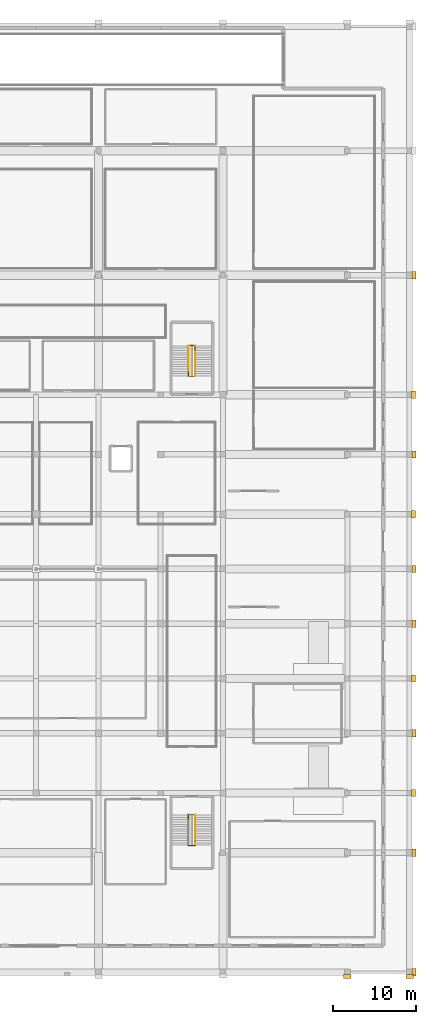
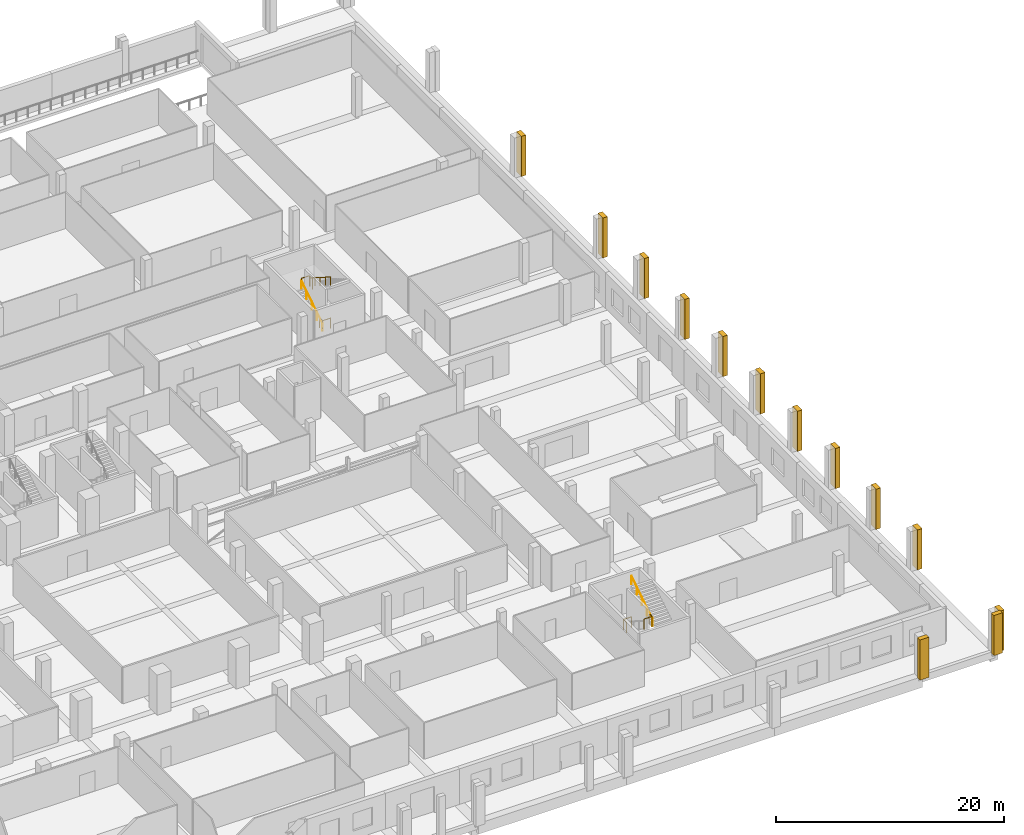
# One storey, part 32 of 33: 13 coverings, 7 railings.
"""IFC4 building model written with IfcOpenShell, lengths in metres."""

from ifc_helpers import new_model, si_unit, direction, frame, origin, origin_2d, place, context, subcontext, project, spatial, rectangle, circle, extrude, material, layer, layer_set, type_object, element, save


model = new_model("IFC4")

# Units and contexts
model_context = context("Model", 3, precision=1e-05, world=origin(), true_north=direction((0.0, 1.0)))
body_context = subcontext(model_context, "Body", "Model", "MODEL_VIEW")
ifc_project = project(units=[si_unit("LENGTHUNIT", "METRE"), si_unit("AREAUNIT", "SQUARE_METRE"), si_unit("VOLUMEUNIT", "CUBIC_METRE"), si_unit("PLANEANGLEUNIT", "RADIAN"), si_unit("MASSUNIT", "GRAM", prefix="KILO")], contexts=[model_context])

# Site, building, storey
site_placement = place(None, origin())
site = spatial("IfcSite", under=ifc_project, at=site_placement, CompositionType="ELEMENT")
building_placement = place(site_placement, origin())
building = spatial("IfcBuilding", under=site, at=building_placement, Name="Akrevak Sports Hall", CompositionType="ELEMENT")
storey_placement = place(building_placement, origin())
storey = spatial("IfcBuildingStorey", under=building, at=storey_placement, Name="L00", CompositionType="ELEMENT", Elevation=0.0)

# Coverings
ifc_material_1 = material(Name="Limestone Ashlar", Category="stone")
ifc_layer_1 = layer(ifc_material_1, 0.47998046875, Name="Limestone Ashlar")
ifc_layer_set_1 = layer_set([ifc_layer_1], Name="Limestone Ashlar")
covering_type = type_object("IfcCoveringType", Name="ARC-COV-PIL-LIM", PredefinedType="CLADDING", material=ifc_layer_set_1)
for number, where, z_axis, x_axis, name in (
    (1, (160.5, -0.52490234375, 0.0), (0.0, 0.0, 1.0), (1.0, 0.0, 0.0), "Giant-Order Limestone Pilaster L00-01-12"),
    (2, (168.0, -0.52490234375, 0.0), (0.0, 0.0, 1.0), (1.0, 0.0, 0.0), "Giant-Order Limestone Pilaster L00-01-13"),
    (3, (168.52490234375, 0.0, 0.0), (0.0, 0.0, 1.0), (0.0, 1.0, 0.0), "Giant-Order Limestone Pilaster L00-02-13"),
    (4, (168.52490234375, 14.39990234375, 0.0), (0.0, 0.0, 1.0), (0.0, 1.0, 0.0), "Giant-Order Limestone Pilaster L00-02-14"),
    (5, (168.47509765625, 21.60009765625, 0.0), (0.0, 0.0, 1.0), (0.0, 1.0, 0.0), "Giant-Order Limestone Pilaster L00-02-15"),
    (6, (168.52490234375, 28.800048828125, 0.0), (0.0, 0.0, 1.0), (0.0, 1.0, 0.0), "Giant-Order Limestone Pilaster L00-02-16"),
    (7, (168.47509765625, 35.39990234375, 0.0), (0.0, 0.0, 1.0), (0.0, 1.0, 0.0), "Giant-Order Limestone Pilaster L00-02-17"),
    (8, (168.52490234375, 42.0, 0.0), (0.0, 0.0, 1.0), (0.0, 1.0, 0.0), "Giant-Order Limestone Pilaster L00-02-18"),
    (9, (168.52490234375, 48.60009765625, 0.0), (0.0, 0.0, 1.0), (0.0, 1.0, 0.0), "Giant-Order Limestone Pilaster L00-02-19"),
    (10, (168.47509765625, 55.199951171875, 0.0), (0.0, 0.0, 1.0), (0.0, 1.0, 0.0), "Giant-Order Limestone Pilaster L00-02-20"),
    (11, (168.52490234375, 62.39990234375, 0.0), (0.0, 0.0, 1.0), (0.0, 1.0, 0.0), "Giant-Order Limestone Pilaster L00-02-21"),
    (12, (168.47509765625, 69.60009765625, 0.0), (0.0, 0.0, 1.0), (0.0, 1.0, 0.0), "Giant-Order Limestone Pilaster L00-02-22"),
    (13, (168.52490234375, 84.0, 0.0), (0.0, 0.0, 1.0), (0.0, 1.0, 0.0), "Giant-Order Limestone Pilaster L00-02-23"),
):
    element("IfcCovering", number, at=place(storey_placement, frame(where, z_axis=z_axis, x_axis=x_axis)), inside=storey, type_object=covering_type, Name=name, PredefinedType="CLADDING", context=body_context, shape_type="SweptSolid", body=[
        extrude(rectangle(XDim=0.8798828125, YDim=0.4599609375, at=origin_2d()), origin(), (0.0, 0.0, 1.0), 4.300048828125),
    ])

# Railings
ifc_material_2 = material(Name="Painted Architectural Balustrade Steel", Category="steel")
ifc_layer_2 = layer(ifc_material_2, 0.06005859375, Name="Painted Architectural Balustrade Steel")
ifc_layer_set_2 = layer_set([ifc_layer_2], Name="Painted Architectural Balustrade Steel")
railing_type_1 = type_object("IfcRailingType", Name="ARC-RL-GRD-1120", PredefinedType="GUARDRAIL", material=ifc_layer_set_2)
railing_1_placement = place(storey_placement, frame((141.360107421875, 18.429931640625, 0.0)))
element("IfcRailing", 14, at=railing_1_placement, inside=storey, type_object=railing_type_1, Name="Stair Floor Landing Well Guard ST7 (L00)", PredefinedType="GUARDRAIL", context=body_context, shape_type="SweptSolid", body=[
    extrude(circle(Radius=0.02392578125, at=origin_2d()), frame((0.0, 0.0, 1.09619140625), z_axis=(0.0, 1.0, 0.0), x_axis=(-1.0, 0.0, 0.0)), (0.0, 0.0, 1.0), 0.550048828125),
    extrude(circle(Radius=0.02392578125, at=origin_2d()), frame((0.0, 0.550048828125, 1.09619140625), z_axis=(1.0, 0.0, 0.0), x_axis=(0.0, 1.0, 0.0)), (0.0, 0.0, 1.0), 0.809814453125),
    extrude(circle(Radius=0.02099609375, at=origin_2d()), origin(), (0.0, 0.0, 1.0), 1.072021484375),
    extrude(circle(Radius=0.02099609375, at=origin_2d()), frame((0.0, 0.550048828125, 0.0)), (0.0, 0.0, 1.0), 1.072021484375),
    extrude(circle(Radius=0.02099609375, at=origin_2d()), frame((0.809814453125, 0.550048828125, 0.0)), (0.0, 0.0, 1.0), 1.072021484375),
])
railing_2_placement = place(storey_placement, frame((141.330078125, 15.280029296875, 2.300048828125)))
element("IfcRailing", 15, at=railing_2_placement, inside=storey, type_object=railing_type_1, Name="Stair Landing Well Guard ST7-L00-1", PredefinedType="GUARDRAIL", context=body_context, shape_type="SweptSolid", body=[
    extrude(circle(Radius=0.02392578125, at=origin_2d()), frame((0.0, 0.0, 1.09619140625), z_axis=(1.0, 0.0, 0.0), x_axis=(0.0, 1.0, 0.0)), (0.0, 0.0, 1.0), 0.809814453125),
    extrude(circle(Radius=0.02392578125, at=origin_2d()), frame((0.809814453125, 0.0, 1.09619140625), z_axis=(0.0, 1.0, 0.0), x_axis=(-1.0, 0.0, 0.0)), (0.0, 0.0, 1.0), 0.52001953125),
    extrude(circle(Radius=0.02099609375, at=origin_2d()), origin(), (0.0, 0.0, 1.0), 1.072021484375),
    extrude(circle(Radius=0.02099609375, at=origin_2d()), frame((0.809814453125, 0.0, 0.0)), (0.0, 0.0, 1.0), 1.072021484375),
    extrude(circle(Radius=0.02099609375, at=origin_2d()), frame((0.809814453125, 0.52001953125, 0.0)), (0.0, 0.0, 1.0), 1.072021484375),
])
railing_3_placement = place(storey_placement, frame((141.360107421875, 72.3701171875, 0.0)))
element("IfcRailing", 16, at=railing_3_placement, inside=storey, type_object=railing_type_1, Name="Stair Floor Landing Well Guard ST8 (L00)", PredefinedType="GUARDRAIL", context=body_context, shape_type="SweptSolid", body=[
    extrude(circle(Radius=0.02392578125, at=origin_2d()), frame((0.0, 0.0, 1.09619140625), z_axis=(0.0, -1.0, 0.0), x_axis=(1.0, 0.0, 0.0)), (0.0, 0.0, 1.0), 0.550048828125),
    extrude(circle(Radius=0.02392578125, at=origin_2d()), frame((0.0, -0.550048828125, 1.09619140625), z_axis=(1.0, 0.0, 0.0), x_axis=(0.0, 1.0, 0.0)), (0.0, 0.0, 1.0), 0.809814453125),
    extrude(circle(Radius=0.02099609375, at=origin_2d()), origin(), (0.0, 0.0, 1.0), 1.072021484375),
    extrude(circle(Radius=0.02099609375, at=origin_2d()), frame((0.0, -0.550048828125, 0.0)), (0.0, 0.0, 1.0), 1.072021484375),
    extrude(circle(Radius=0.02099609375, at=origin_2d()), frame((0.809814453125, -0.550048828125, 0.0)), (0.0, 0.0, 1.0), 1.072021484375),
])
railing_4_placement = place(storey_placement, frame((141.330078125, 75.52001953125, 2.300048828125)))
element("IfcRailing", 17, at=railing_4_placement, inside=storey, type_object=railing_type_1, Name="Stair Landing Well Guard ST8-L00-1", PredefinedType="GUARDRAIL", context=body_context, shape_type="SweptSolid", body=[
    extrude(circle(Radius=0.02392578125, at=origin_2d()), frame((0.0, 0.0, 1.09619140625), z_axis=(1.0, 0.0, 0.0), x_axis=(0.0, 1.0, 0.0)), (0.0, 0.0, 1.0), 0.809814453125),
    extrude(circle(Radius=0.02392578125, at=origin_2d()), frame((0.809814453125, 0.0, 1.09619140625), z_axis=(0.0, -1.0, 0.0), x_axis=(1.0, 0.0, 0.0)), (0.0, 0.0, 1.0), 0.52001953125),
    extrude(circle(Radius=0.02099609375, at=origin_2d()), origin(), (0.0, 0.0, 1.0), 1.072021484375),
    extrude(circle(Radius=0.02099609375, at=origin_2d()), frame((0.809814453125, 0.0, 0.0)), (0.0, 0.0, 1.0), 1.072021484375),
    extrude(circle(Radius=0.02099609375, at=origin_2d()), frame((0.809814453125, -0.52001953125, 0.0)), (0.0, 0.0, 1.0), 1.072021484375),
])
ifc_material_3 = material(Name="Brushed Stainless Steel 304", Category="steel")
ifc_layer_3 = layer(ifc_material_3, 0.050048828125, Name="Brushed Stainless Steel 304")
ifc_layer_set_3 = layer_set([ifc_layer_3], Name="Brushed Stainless Steel 304")
railing_type_2 = type_object("IfcRailingType", Name="ARC-RL-HND-900", PredefinedType="HANDRAIL", material=ifc_layer_set_3)
for number, where, name in (
    (18, (142.169921875, 15.31005859375, 2.300048828125), "Stair Handrail ST7-L00-F2"),
    (19, (141.330078125, 71.85009765625, 0.0), "Stair Handrail ST8-L00-F1"),
):
    element("IfcRailing", number, at=place(storey_placement, frame(where)), inside=storey, type_object=railing_type_2, Name=name, PredefinedType="HANDRAIL", context=body_context, shape_type="SweptSolid", body=[
        extrude(circle(Radius=0.02392578125, at=origin_2d()), frame((0.0, 0.0, 0.8759765625), z_axis=(0.0, 0.845366270244, 0.534187110602), x_axis=(-1.0, 0.0, 0.0)), (0.0, 0.0, 1.0), 4.3056640625),
        extrude(circle(Radius=0.02099609375, at=origin_2d()), origin(), (0.0, 0.0, 1.0), 0.851806640625),
        extrude(circle(Radius=0.02099609375, at=origin_2d()), frame((0.0, 0.909912109375, 0.574951171875)), (0.0, 0.0, 1.0), 0.851806640625),
        extrude(circle(Radius=0.02099609375, at=origin_2d()), frame((0.0, 1.81982421875, 1.14990234375)), (0.0, 0.0, 1.0), 0.851806640625),
        extrude(circle(Radius=0.02099609375, at=origin_2d()), frame((0.0, 2.72998046875, 1.72509765625)), (0.0, 0.0, 1.0), 0.851806640625),
        extrude(circle(Radius=0.02099609375, at=origin_2d()), frame((0.0, 3.639892578125, 2.300048828125)), (0.0, 0.0, 1.0), 0.851806640625),
    ])
railing_5_placement = place(storey_placement, frame((142.169921875, 75.489990234375, 2.300048828125)))
element("IfcRailing", 20, at=railing_5_placement, inside=storey, type_object=railing_type_2, Name="Stair Handrail ST8-L00-F2", PredefinedType="HANDRAIL", context=body_context, shape_type="SweptSolid", body=[
    extrude(circle(Radius=0.02392578125, at=origin_2d()), frame((0.0, 0.0, 0.8759765625), z_axis=(0.0, -0.845366270244, 0.534187110602), x_axis=(1.0, 0.0, 0.0)), (0.0, 0.0, 1.0), 4.3056640625),
    extrude(circle(Radius=0.02099609375, at=origin_2d()), origin(), (0.0, 0.0, 1.0), 0.851806640625),
    extrude(circle(Radius=0.02099609375, at=origin_2d()), frame((0.0, -0.909912109375, 0.574951171875)), (0.0, 0.0, 1.0), 0.851806640625),
    extrude(circle(Radius=0.02099609375, at=origin_2d()), frame((0.0, -1.81982421875, 1.14990234375)), (0.0, 0.0, 1.0), 0.851806640625),
    extrude(circle(Radius=0.02099609375, at=origin_2d()), frame((0.0, -2.72998046875, 1.72509765625)), (0.0, 0.0, 1.0), 0.851806640625),
    extrude(circle(Radius=0.02099609375, at=origin_2d()), frame((0.0, -3.639892578125, 2.300048828125)), (0.0, 0.0, 1.0), 0.851806640625),
])

save(model, "model.ifc")
